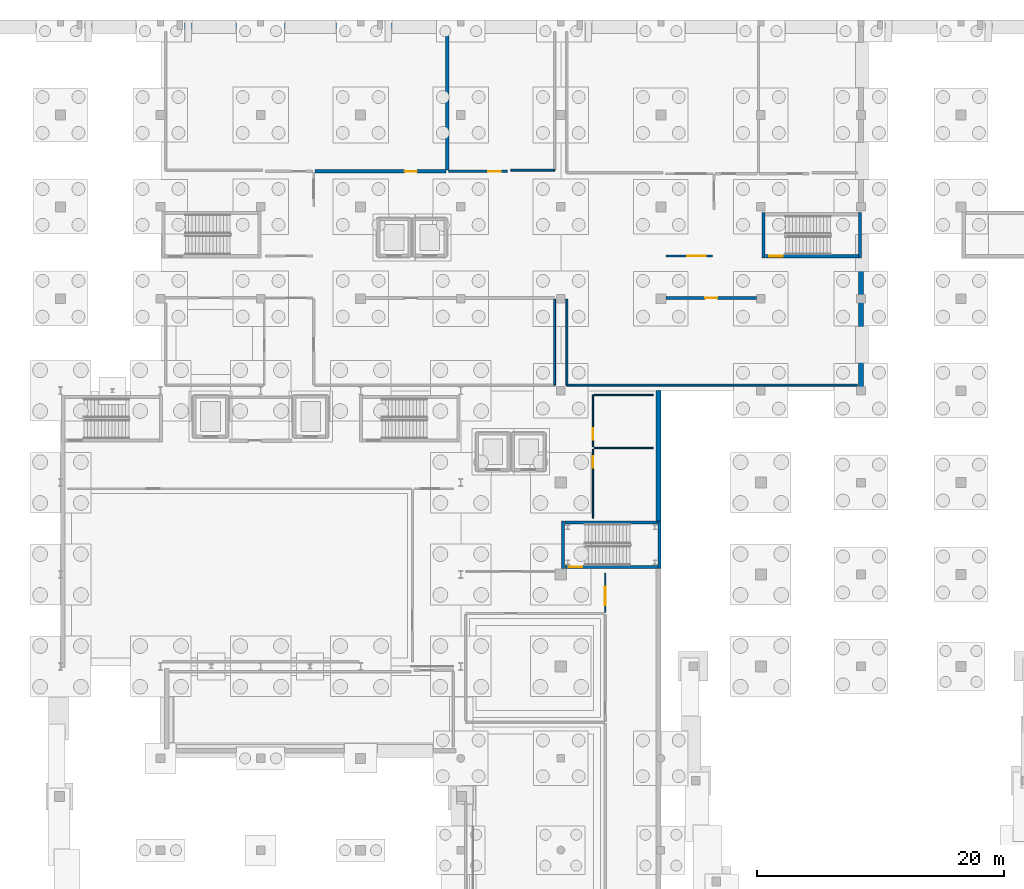
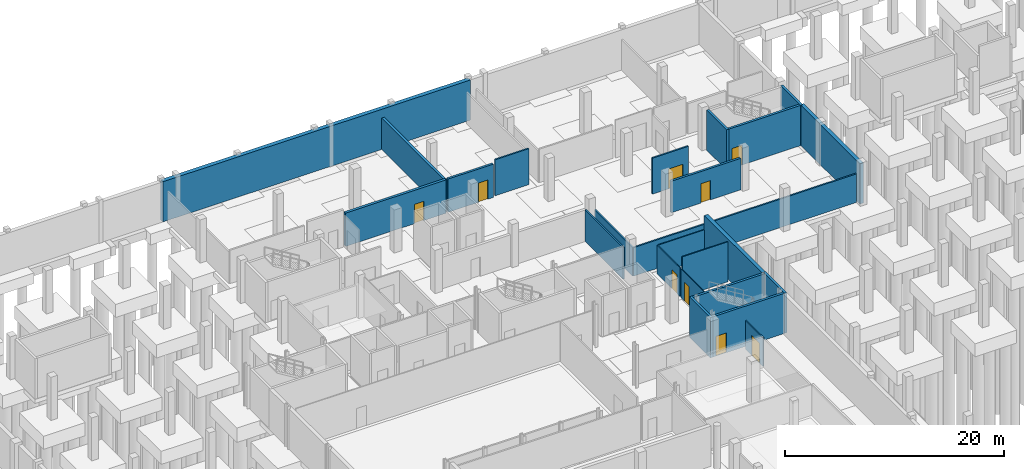
# One storey, part 29 of 37: 24 walls, 9 doors, 9 openings.
"""IFC4 building model written with IfcOpenShell, lengths in metres."""

import ifcopenshell
import ifcopenshell.guid

model = None  # the IFC model being written
_history = None  # IfcOwnerHistory: only IFC2X3 demands one
_inside = {}  # id of a spatial element -> (the spatial element, [elements in it])
_under = {}  # id of a project, library or spatial element -> (it, [spatial elements below it])
_declared = {}  # id of a project -> (the project, [libraries it declares])
_typed = {}  # id of a type object -> (the type object, [elements of that type])
_made_of = {}  # id of a material, layer set ... -> (it, [elements and type objects made of it])


def new_model(schema):
    """Start an empty IFC model of exactly this schema.

    Asked for "IFC4X3", IfcOpenShell would pick the latest addendum, in which some entities
    have other attributes; the version numbers below select the first issue.
    IFC2X3 requires an IfcOwnerHistory on every rooted entity: one is made here for all.
    """
    global model, _history
    if schema == "IFC4X3":
        model = ifcopenshell.file(schema_version=(4, 3, 0, 0))
    else:
        model = ifcopenshell.file(schema=schema)
    _inside.clear()
    _under.clear()
    _declared.clear()
    _typed.clear()
    _made_of.clear()
    _history = None
    if model.schema == "IFC2X3":
        org = make("IfcOrganization", Name="unknown")
        user = make(
            "IfcPersonAndOrganization",
            ThePerson=make("IfcPerson", FamilyName="unknown"),
            TheOrganization=org,
        )
        app = make(
            "IfcApplication",
            ApplicationDeveloper=org,
            Version="unknown",
            ApplicationFullName="unknown",
            ApplicationIdentifier="unknown",
        )
        _history = make(
            "IfcOwnerHistory",
            OwningUser=user,
            OwningApplication=app,
            ChangeAction="ADDED",
            CreationDate=0,
        )
    return model


def make(cls, **values):
    """One entity of the class cls with the attributes given. An attribute that is None is left unset."""
    return model.create_entity(
        cls, **{name: value for name, value in values.items() if value is not None}
    )


def rooted(cls, **values):
    """An entity with a GlobalId (a new one), such as an element, a storey or a relation."""
    return make(cls, GlobalId=ifcopenshell.guid.new(), OwnerHistory=_history, **values)


def si_unit(unit_type, name, prefix=None):
    """IfcSIUnit, for example si_unit("LENGTHUNIT", "METRE", prefix="MILLI")."""
    return make("IfcSIUnit", UnitType=unit_type, Prefix=prefix, Name=name)


def assignment(units):
    """IfcUnitAssignment: the units of a project."""
    return None if units is None else make("IfcUnitAssignment", Units=units)


def point(xyz):
    """IfcCartesianPoint."""
    return None if xyz is None else make("IfcCartesianPoint", Coordinates=xyz)


def direction(xyz):
    """IfcDirection."""
    return None if xyz is None else make("IfcDirection", DirectionRatios=xyz)


def frame(location, z_axis=None, x_axis=None):
    """IfcAxis2Placement3D, a coordinate frame: its origin and axes. An axis left out is left unset."""
    return make(
        "IfcAxis2Placement3D",
        Location=point(location),
        Axis=direction(z_axis),
        RefDirection=direction(x_axis),
    )


def frame_2d(location, x_axis=None):
    """IfcAxis2Placement2D, a coordinate frame in the plane: its origin and x axis."""
    return make(
        "IfcAxis2Placement2D", Location=point(location), RefDirection=direction(x_axis)
    )


def origin():
    """The frame at (0, 0, 0) with its axes left unset."""
    return frame((0.0, 0.0, 0.0))


def place(relative_to, where):
    """IfcLocalPlacement: puts the frame where relative to a parent placement (None: the world)."""
    return make(
        "IfcLocalPlacement", PlacementRelTo=relative_to, RelativePlacement=where
    )


def context(
    kind, dimensions, precision=None, world=None, true_north=None, identifier=None
):
    """IfcGeometricRepresentationContext, for example the 3D "Model" context."""
    return make(
        "IfcGeometricRepresentationContext",
        ContextIdentifier=identifier,
        ContextType=kind,
        CoordinateSpaceDimension=dimensions,
        Precision=precision,
        WorldCoordinateSystem=world,
        TrueNorth=true_north,
    )


def subcontext(parent, identifier, kind, view, scale=None):
    """IfcGeometricRepresentationSubContext, for example "Body" below "Model"."""
    return make(
        "IfcGeometricRepresentationSubContext",
        ContextIdentifier=identifier,
        ContextType=kind,
        ParentContext=parent,
        TargetScale=scale,
        TargetView=view,
    )


def project(units=None, contexts=None):
    """IfcProject with its units and contexts."""
    return rooted(
        "IfcProject",
        Name="project",
        RepresentationContexts=contexts,
        UnitsInContext=assignment(units),
    )


def spatial(cls, under=None, at=None, **own):
    """A site, building, storey or space (cls), placed at a placement, below another one or the project."""
    s = rooted(cls, ObjectPlacement=at, **own)
    if under is not None:
        _under.setdefault(under.id(), (under, []))[1].append(s)
    return s


def profile(cls, at=None, kind="AREA", **sizes):
    """A parametric profile (cls). Its sizes go by their IFC names, for example OverallWidth=200.0."""
    return make(cls, ProfileType=kind, Position=at, **sizes)


def rectangle(**sizes):
    """IfcRectangleProfileDef."""
    return profile("IfcRectangleProfileDef", **sizes)


def extrude(swept, where, along, depth):
    """IfcExtrudedAreaSolid: the profile swept, set in the frame where, extruded along a direction by depth."""
    return make(
        "IfcExtrudedAreaSolid",
        SweptArea=swept,
        Position=where,
        ExtrudedDirection=direction(along),
        Depth=depth,
    )


def shape(context_of_items, identifier, shape_type, items):
    """IfcShapeRepresentation: the items that make up one representation, for example the "Body"."""
    return make(
        "IfcShapeRepresentation",
        ContextOfItems=context_of_items,
        RepresentationIdentifier=identifier,
        RepresentationType=shape_type,
        Items=items,
    )


def material(Name=None, Category=None):
    """IfcMaterial."""
    return make("IfcMaterial", Name=Name, Category=Category)


def layer(
    of_material, thickness, ventilated=None, Name=None, Category=None, Priority=None
):
    """IfcMaterialLayer: one layer of a wall or slab, of a material (None: an air gap)."""
    return make(
        "IfcMaterialLayer",
        Material=of_material,
        LayerThickness=thickness,
        IsVentilated=ventilated,
        Name=Name,
        Category=Category,
        Priority=Priority,
    )


def layer_set(layers, Name=None):
    """IfcMaterialLayerSet."""
    return make("IfcMaterialLayerSet", MaterialLayers=layers, LayerSetName=Name)


def made_of(thing, what):
    """Note that an element or type object is made of a material, layer set ...; save() writes the relation."""
    if what is not None:
        _made_of.setdefault(what.id(), (what, []))[1].append(thing)
    return thing


def type_object(cls, material=None, **own):
    """A type object (cls), such as IfcWallType, which elements share."""
    return made_of(rooted(cls, **own), material)


def element(
    cls,
    number,
    at=None,
    inside=None,
    cuts=None,
    type_object=None,
    material=None,
    context=None,
    identifier="Body",
    shape_type=None,
    held_by="IfcProductDefinitionShape",
    body=None,
    shapes=None,
    **own,
):
    """One element of the class cls, such as IfcWall. Its Tag is "e" and its number.

    at: its placement. inside: the storey or other place that contains it. cuts: it is an
    opening in that element (IfcRelVoidsElement). A single representation is given by context,
    identifier, shape_type and body (its items); several are given by shapes. held_by: the class
    of the entity that holds the representations. save() writes the other relations.
    """
    e = rooted(cls, Tag="e%d" % number, ObjectPlacement=at, **own)
    if body is not None:
        shapes = [shape(context, identifier, shape_type, body)]
    if shapes is not None:
        e.Representation = make(held_by, Representations=shapes)
    if inside is not None:
        _inside.setdefault(inside.id(), (inside, []))[1].append(e)
    if cuts is not None:
        rooted(
            "IfcRelVoidsElement", RelatingBuildingElement=cuts, RelatedOpeningElement=e
        )
    if type_object is not None:
        _typed.setdefault(type_object.id(), (type_object, []))[1].append(e)
    return made_of(e, material)


def fill(opening, filler):
    """IfcRelFillsElement: the door or window that sits in an opening."""
    return rooted(
        "IfcRelFillsElement",
        RelatingOpeningElement=opening,
        RelatedBuildingElement=filler,
    )


def aggregate(whole, parts):
    """IfcRelAggregates: a whole, such as a stair, and the parts it consists of."""
    return rooted("IfcRelAggregates", RelatingObject=whole, RelatedObjects=parts)


def save(model, path):
    """Write the relations noted so far, then the file.

    IfcRelAggregates (storeys below a building ...), IfcRelContainedInSpatialStructure (elements
    in a storey), IfcRelDefinesByType, IfcRelAssociatesMaterial and IfcRelDeclares: one each for
    every whole, place, type object, material and project.
    """
    for whole, parts in _under.values():
        aggregate(whole, parts)
    for where, things in _inside.values():
        rooted(
            "IfcRelContainedInSpatialStructure",
            RelatedElements=things,
            RelatingStructure=where,
        )
    for kind, things in _typed.values():
        rooted("IfcRelDefinesByType", RelatedObjects=things, RelatingType=kind)
    for what, things in _made_of.values():
        rooted("IfcRelAssociatesMaterial", RelatedObjects=things, RelatingMaterial=what)
    for by, libraries in _declared.values():
        rooted("IfcRelDeclares", RelatingContext=by, RelatedDefinitions=libraries)
    model.write(path)


model = new_model("IFC4")

# Units and contexts
model_context = context("Model", 3, precision=1e-05, world=origin(), true_north=direction((0.0, 1.0)))
body_context = subcontext(model_context, "Body", "Model", "MODEL_VIEW")
ifc_project = project(units=[si_unit("LENGTHUNIT", "METRE"), si_unit("AREAUNIT", "SQUARE_METRE"), si_unit("VOLUMEUNIT", "CUBIC_METRE"), si_unit("PLANEANGLEUNIT", "RADIAN"), si_unit("MASSUNIT", "GRAM", prefix="KILO")], contexts=[model_context])

# Site, building, storey
site_placement = place(None, origin())
site = spatial("IfcSite", under=ifc_project, at=site_placement, CompositionType="ELEMENT")
building_placement = place(site_placement, origin())
building = spatial("IfcBuilding", under=site, at=building_placement, Name="Kaelora Sail Theatre", CompositionType="ELEMENT")
storey_placement = place(building_placement, frame((0.0, 0.0, -4.800048828125)))
storey = spatial("IfcBuildingStorey", under=building, at=storey_placement, Name="B1", CompositionType="ELEMENT", Elevation=-4.800048828125)

# Wall, opening, door
ifc_material_1 = material(Name="Concrete C40/50", Category="concrete")
ifc_layer_1 = layer(ifc_material_1, 0.25)
ifc_layer_set_1 = layer_set([ifc_layer_1], Name="Concrete C40/50")
wall_type_1 = type_object("IfcWallType", Name="ARC-WL-CW-250", PredefinedType="SHEAR", material=ifc_layer_set_1)
wall_1_placement = place(storey_placement, frame((82.85498046875, 94.22509765625, 0.0), z_axis=(0.0, 0.0, 1.0), x_axis=(1.0, 0.0, 0.0)))
wall_1 = element("IfcWall", 1, at=wall_1_placement, inside=storey, type_object=wall_type_1, Name="Stair shaft ST-K3 wall B1-S", PredefinedType="SHEAR", context=body_context, shape_type="SweptSolid", body=[
    extrude(rectangle(XDim=7.5400390625, YDim=0.25, at=frame_2d((3.77001953125, 0.0))), origin(), (0.0, 0.0, 1.0), 4.47998046875),
])
opening_1_placement = place(wall_1_placement, frame((0.320068359375, 0.0, 0.0)))
opening_1 = element("IfcOpeningElement", 2, at=opening_1_placement, cuts=wall_1, Name="Opening FD-02", PredefinedType="OPENING", context=body_context, shape_type="SweptSolid", body=[
    extrude(rectangle(XDim=1.10009765625, YDim=2.199951171875, at=frame_2d((0.550048828125, 1.10009765625))), frame((0.0, 0.135, 0.0), z_axis=(0.0, -1.0, 0.0), x_axis=(1.0, 0.0, 0.0)), (0.0, 0.0, 1.0), 0.27),
])
ifc_material_2 = material(Name="Acoustic steel single stair/lobby fire door EI 90-C", Category="steel")
door_type_1 = type_object("IfcDoorType", Name="ARC-DR-FD-02", OperationType="NOTDEFINED", PredefinedType="DOOR", material=ifc_material_2)
door_1_placement = place(opening_1_placement, origin())
door_1 = element("IfcDoor", 3, at=door_1_placement, inside=storey, type_object=door_type_1, Name="Stair ST-K3 door (B1)", OperationType="SINGLE_SWING_RIGHT", OverallHeight=2.199951171875, OverallWidth=1.10009765625, PredefinedType="DOOR", context=body_context, shape_type="SweptSolid", body=[
    extrude(rectangle(XDim=1.10009765625, YDim=2.199951171875, at=frame_2d((0.550048828125, 1.10009765625))), frame((0.0, 0.02490234375, 0.0), z_axis=(0.0, -1.0, 0.0), x_axis=(1.0, 0.0, 0.0)), (0.0, 0.0, 1.0), 0.050048828125),
])
fill(opening_1, door_1)

# Walls
for number, where, z_axis, x_axis, name in (
    (4, (82.72509765625, 94.10009765625, 0.0), (0.0, 0.0, 1.0), (0.0, 1.0, 0.0), "Stair shaft ST-K3 wall B1-W"),
    (5, (90.52490234375, 94.10009765625, 0.0), (0.0, 0.0, 1.0), (0.0, 1.0, 0.0), "Stair shaft ST-K3 wall B1-E"),
):
    element("IfcWall", number, at=place(storey_placement, frame(where, z_axis=z_axis, x_axis=x_axis)), inside=storey, type_object=wall_type_1, Name=name, PredefinedType="SHEAR", context=body_context, shape_type="SweptSolid", body=[
        extrude(rectangle(XDim=3.64990234375, YDim=0.25, at=frame_2d((1.824951171875, 0.0))), origin(), (0.0, 0.0, 1.0), 4.47998046875),
    ])

# Wall, opening, door
wall_2_placement = place(storey_placement, frame((66.625, 69.074951171875, 0.0), z_axis=(0.0, 0.0, 1.0), x_axis=(1.0, 0.0, 0.0)))
wall_2 = element("IfcWall", 6, at=wall_2_placement, inside=storey, type_object=wall_type_1, Name="Stair shaft ST-F1 wall B1-S", PredefinedType="SHEAR", context=body_context, shape_type="SweptSolid", body=[
    extrude(rectangle(XDim=7.5400390625, YDim=0.25, at=frame_2d((3.77001953125, 0.0))), origin(), (0.0, 0.0, 1.0), 4.47998046875),
])
opening_2_placement = place(wall_2_placement, frame((0.320068359375, 0.0, 0.0)))
opening_2 = element("IfcOpeningElement", 7, at=opening_2_placement, cuts=wall_2, Name="Opening FD-02", PredefinedType="OPENING", context=body_context, shape_type="SweptSolid", body=[
    extrude(rectangle(XDim=1.10009765625, YDim=2.199951171875, at=frame_2d((0.550048828125, 1.10009765625))), frame((0.0, 0.135, 0.0), z_axis=(0.0, -1.0, 0.0), x_axis=(1.0, 0.0, 0.0)), (0.0, 0.0, 1.0), 0.27),
])
door_2_placement = place(opening_2_placement, origin())
door_2 = element("IfcDoor", 8, at=door_2_placement, inside=storey, type_object=door_type_1, Name="Stair ST-F1 door (B1)", OperationType="SINGLE_SWING_LEFT", OverallHeight=2.199951171875, OverallWidth=1.10009765625, PredefinedType="DOOR", context=body_context, shape_type="SweptSolid", body=[
    extrude(rectangle(XDim=1.10009765625, YDim=2.199951171875, at=frame_2d((0.550048828125, 1.10009765625))), frame((0.0, 0.02490234375, 0.0), z_axis=(0.0, -1.0, 0.0), x_axis=(1.0, 0.0, 0.0)), (0.0, 0.0, 1.0), 0.050048828125),
])
fill(opening_2, door_2)

# Walls
wall_3_placement = place(storey_placement, frame((66.625, 72.675048828125, 0.0), z_axis=(0.0, 0.0, 1.0), x_axis=(1.0, 0.0, 0.0)))
element("IfcWall", 9, at=wall_3_placement, inside=storey, type_object=wall_type_1, Name="Stair shaft ST-F1 wall B1-N", PredefinedType="SHEAR", context=body_context, shape_type="SweptSolid", body=[
    extrude(rectangle(XDim=7.5400390625, YDim=0.25, at=frame_2d((3.77001953125, 0.0))), origin(), (0.0, 0.0, 1.0), 4.47998046875),
])
for number, where, z_axis, x_axis, name in (
    (10, (66.4951171875, 68.949951171875, 0.0), (0.0, 0.0, 1.0), (0.0, 1.0, 0.0), "Stair shaft ST-F1 wall B1-W"),
    (11, (74.294921875, 68.949951171875, 0.0), (0.0, 0.0, 1.0), (0.0, 1.0, 0.0), "Stair shaft ST-F1 wall B1-E"),
):
    element("IfcWall", number, at=place(storey_placement, frame(where, z_axis=z_axis, x_axis=x_axis)), inside=storey, type_object=wall_type_1, Name=name, PredefinedType="SHEAR", context=body_context, shape_type="SweptSolid", body=[
        extrude(rectangle(XDim=3.85009765625, YDim=0.25, at=frame_2d((1.925048828125, 0.0))), origin(), (0.0, 0.0, 1.0), 4.47998046875),
    ])

# Wall, opening, door
ifc_material_3 = material(Name="Sanitary moisture-resistant partition 100 mm", Category="gypsum")
ifc_layer_2 = layer(ifc_material_3, 0.10009765625)
ifc_layer_set_2 = layer_set([ifc_layer_2], Name="Sanitary moisture-resistant partition 100 mm")
wall_type_2 = type_object("IfcWallType", Name="ARC-WL-PT-100", PredefinedType="PARTITIONING", material=ifc_layer_set_2)
wall_4_placement = place(storey_placement, frame((68.89990234375, 73.0, 0.0), z_axis=(0.0, 0.0, 1.0), x_axis=(0.0, 1.0, 0.0)))
wall_4 = element("IfcWall", 12, at=wall_4_placement, inside=storey, type_object=wall_type_2, Name="Interior acoustic partition B1-COR-NLINK/B1-WC-PUB", PredefinedType="PARTITIONING", context=body_context, shape_type="SweptSolid", body=[
    extrude(rectangle(XDim=5.60009765625, YDim=0.10009765625, at=frame_2d((2.800048828125, 0.0))), origin(), (0.0, 0.0, 1.0), 3.18212890625),
])
opening_3_placement = place(wall_4_placement, frame((4.1201171875, 0.0, 0.0)))
opening_3 = element("IfcOpeningElement", 13, at=opening_3_placement, cuts=wall_4, Name="Opening ID-03", PredefinedType="OPENING", context=body_context, shape_type="SweptSolid", body=[
    extrude(rectangle(XDim=0.89990234375, YDim=2.10009765625, at=frame_2d((0.449951171875, 1.050048828125))), frame((0.0, 0.060049, 0.0), z_axis=(0.0, -1.0, 0.0), x_axis=(1.0, 0.0, 0.0)), (0.0, 0.0, 1.0), 0.120098),
])
ifc_material_4 = material(Name="Accessible sanitary laminate door", Category="timber")
door_type_2 = type_object("IfcDoorType", Name="ARC-DR-ID-03", OperationType="NOTDEFINED", PredefinedType="DOOR", material=ifc_material_4)
door_3_placement = place(opening_3_placement, origin())
door_3 = element("IfcDoor", 14, at=door_3_placement, inside=storey, type_object=door_type_2, Name="Interior door B1-COR-NLINK to B1-WC-PUB", OperationType="SINGLE_SWING_RIGHT", OverallHeight=2.10009765625, OverallWidth=0.89990234375, PredefinedType="DOOR", context=body_context, shape_type="SweptSolid", body=[
    extrude(rectangle(XDim=0.89990234375, YDim=2.10009765625, at=frame_2d((0.449951171875, 1.050048828125))), frame((0.0, 0.02490234375, 0.0), z_axis=(0.0, -1.0, 0.0), x_axis=(1.0, 0.0, 0.0)), (0.0, 0.0, 1.0), 0.050048828125),
])
fill(opening_3, door_3)

wall_5_placement = place(storey_placement, frame((68.89990234375, 78.800048828125, 0.0), z_axis=(0.0, 0.0, 1.0), x_axis=(0.0, 1.0, 0.0)))
wall_5 = element("IfcWall", 15, at=wall_5_placement, inside=storey, type_object=wall_type_2, Name="Interior acoustic partition B1-COR-NLINK/B1-WC-ACC", PredefinedType="PARTITIONING", context=body_context, shape_type="SweptSolid", body=[
    extrude(rectangle(XDim=4.199951171875, YDim=0.10009765625, at=frame_2d((2.10009765625, 0.0))), origin(), (0.0, 0.0, 1.0), 3.18212890625),
])
opening_4_placement = place(wall_5_placement, frame((0.580078125, 0.0, 0.0)))
opening_4 = element("IfcOpeningElement", 16, at=opening_4_placement, cuts=wall_5, Name="Opening ID-03", PredefinedType="OPENING", context=body_context, shape_type="SweptSolid", body=[
    extrude(rectangle(XDim=0.89990234375, YDim=2.10009765625, at=frame_2d((0.449951171875, 1.050048828125))), frame((0.0, 0.060049, 0.0), z_axis=(0.0, -1.0, 0.0), x_axis=(1.0, 0.0, 0.0)), (0.0, 0.0, 1.0), 0.120098),
])
door_4_placement = place(opening_4_placement, origin())
door_4 = element("IfcDoor", 17, at=door_4_placement, inside=storey, type_object=door_type_2, Name="Interior door B1-COR-NLINK to B1-WC-ACC", OperationType="SINGLE_SWING_RIGHT", OverallHeight=2.10009765625, OverallWidth=0.89990234375, PredefinedType="DOOR", context=body_context, shape_type="SweptSolid", body=[
    extrude(rectangle(XDim=0.89990234375, YDim=2.10009765625, at=frame_2d((0.449951171875, 1.050048828125))), frame((0.0, 0.02490234375, 0.0), z_axis=(0.0, -1.0, 0.0), x_axis=(1.0, 0.0, 0.0)), (0.0, 0.0, 1.0), 0.050048828125),
])
fill(opening_4, door_4)

# Walls
wall_6_placement = place(storey_placement, frame((69.0, 78.699951171875, 0.0), z_axis=(0.0, 0.0, 1.0), x_axis=(1.0, 0.0, 0.0)))
element("IfcWall", 18, at=wall_6_placement, inside=storey, type_object=wall_type_2, Name="Interior acoustic partition B1-WC-PUB/B1-WC-ACC", PredefinedType="PARTITIONING", context=body_context, shape_type="SweptSolid", body=[
    extrude(rectangle(XDim=4.800048828125, YDim=0.10009765625, at=frame_2d((2.39990234375, 0.0))), origin(), (0.0, 0.0, 1.0), 4.4599609375),
])
wall_7_placement = place(storey_placement, frame((69.0, 83.0, 0.0), z_axis=(0.0, 0.0, 1.0), x_axis=(1.0, 0.0, 0.0)))
element("IfcWall", 19, at=wall_7_placement, inside=storey, type_object=wall_type_2, Name="Room enclosure wall B1-WC-ACC-N1", PredefinedType="PARTITIONING", context=body_context, shape_type="SweptSolid", body=[
    extrude(rectangle(XDim=4.800048828125, YDim=0.10009765625, at=frame_2d((2.39990234375, 0.0))), origin(), (0.0, 0.0, 1.0), 3.18212890625),
])

# Wall, opening, door
ifc_material_5 = material(Name="Standard metal-stud partition 120 mm", Category="gypsum")
ifc_layer_3 = layer(ifc_material_5, 0.1201171875)
ifc_layer_set_3 = layer_set([ifc_layer_3], Name="Standard metal-stud partition 120 mm")
wall_type_3 = type_object("IfcWallType", Name="ARC-WL-PT-120", PredefinedType="PARTITIONING", material=ifc_layer_set_3)
wall_8_placement = place(storey_placement, frame((69.89990234375, 65.39990234375, 0.0), z_axis=(0.0, 0.0, 1.0), x_axis=(0.0, 1.0, 0.0)))
wall_8 = element("IfcWall", 20, at=wall_8_placement, inside=storey, type_object=wall_type_3, Name="Interior acoustic partition B1-COR-SOUTH/B1-COR-MAIN", PredefinedType="PARTITIONING", context=body_context, shape_type="SweptSolid", body=[
    extrude(rectangle(XDim=3.2001953125, YDim=0.1201171875, at=frame_2d((1.60009765625, 0.0))), origin(), (0.0, 0.0, 1.0), 3.18212890625),
])
opening_5_placement = place(wall_8_placement, frame((0.580078125, 0.0, 0.0)))
opening_5 = element("IfcOpeningElement", 21, at=opening_5_placement, cuts=wall_8, Name="Opening FD-01", PredefinedType="OPENING", context=body_context, shape_type="SweptSolid", body=[
    extrude(rectangle(XDim=1.5, YDim=2.199951171875, at=frame_2d((0.75, 1.10009765625))), frame((0.0, 0.070059, 0.0), z_axis=(0.0, -1.0, 0.0), x_axis=(1.0, 0.0, 0.0)), (0.0, 0.0, 1.0), 0.140117),
])
ifc_material_6 = material(Name="Acoustic steel double fire door EI 90-C", Category="steel")
door_type_3 = type_object("IfcDoorType", Name="ARC-DR-FD-01", OperationType="NOTDEFINED", PredefinedType="DOOR", material=ifc_material_6)
door_5_placement = place(opening_5_placement, origin())
door_5 = element("IfcDoor", 22, at=door_5_placement, inside=storey, type_object=door_type_3, Name="Interior door B1-COR-SOUTH to B1-COR-MAIN", OperationType="DOUBLE_DOOR_SINGLE_SWING", OverallHeight=2.199951171875, OverallWidth=1.5, PredefinedType="DOOR", context=body_context, shape_type="SweptSolid", body=[
    extrude(rectangle(XDim=1.5, YDim=2.199951171875, at=frame_2d((0.75, 1.10009765625))), frame((0.0, 0.02490234375, 0.0), z_axis=(0.0, -1.0, 0.0), x_axis=(1.0, 0.0, 0.0)), (0.0, 0.0, 1.0), 0.050048828125),
])
fill(opening_5, door_5)

ifc_material_7 = material(Name="Acoustic metal-stud plasterboard 160 mm", Category="gypsum")
ifc_layer_4 = layer(ifc_material_7, 0.159912109375)
ifc_layer_set_4 = layer_set([ifc_layer_4], Name="Acoustic metal-stud plasterboard 160 mm")
wall_type_4 = type_object("IfcWallType", Name="ARC-WL-PT-160", PredefinedType="PARTITIONING", material=ifc_layer_set_4)
wall_9_placement = place(storey_placement, frame((74.800048828125, 94.25, 0.0), z_axis=(0.0, 0.0, 1.0), x_axis=(1.0, 0.0, 0.0)))
wall_9 = element("IfcWall", 23, at=wall_9_placement, inside=storey, type_object=wall_type_4, Name="Interior acoustic partition B1-COR-NORTH/B1-COR-SPUR2", PredefinedType="PARTITIONING", context=body_context, shape_type="SweptSolid", body=[
    extrude(rectangle(XDim=3.800048828125, YDim=0.159912109375, at=frame_2d((1.89990234375, 0.0))), origin(), (0.0, 0.0, 1.0), 4.011962890625),
])
opening_6_placement = place(wall_9_placement, frame((1.719970703125, 0.0, 0.0)))
opening_6 = element("IfcOpeningElement", 24, at=opening_6_placement, cuts=wall_9, Name="Opening FD-01", PredefinedType="OPENING", context=body_context, shape_type="SweptSolid", body=[
    extrude(rectangle(XDim=1.5, YDim=2.199951171875, at=frame_2d((0.75, 1.10009765625))), frame((0.0, 0.090078, 0.0), z_axis=(0.0, -1.0, 0.0), x_axis=(1.0, 0.0, 0.0)), (0.0, 0.0, 1.0), 0.179912),
])
door_6_placement = place(opening_6_placement, origin())
door_6 = element("IfcDoor", 25, at=door_6_placement, inside=storey, type_object=door_type_3, Name="Interior door B1-COR-NORTH to B1-COR-SPUR2", OperationType="DOUBLE_DOOR_SINGLE_SWING", OverallHeight=2.199951171875, OverallWidth=1.5, PredefinedType="DOOR", context=body_context, shape_type="SweptSolid", body=[
    extrude(rectangle(XDim=1.5, YDim=2.199951171875, at=frame_2d((0.75, 1.10009765625))), frame((0.0, 0.02490234375, 0.0), z_axis=(0.0, -1.0, 0.0), x_axis=(1.0, 0.0, 0.0)), (0.0, 0.0, 1.0), 0.050048828125),
])
fill(opening_6, door_6)

# Walls
wall_10_placement = place(storey_placement, frame((65.800048828125, 83.800048828125, 0.0), z_axis=(0.0, 0.0, 1.0), x_axis=(0.0, 1.0, 0.0)))
element("IfcWall", 26, at=wall_10_placement, inside=storey, type_object=wall_type_4, Name="Room enclosure wall B1-SUBS-E1", PredefinedType="PARTITIONING", context=body_context, shape_type="SweptSolid", body=[
    extrude(rectangle(XDim=6.949951171875, YDim=0.159912109375, at=frame_2d((3.47509765625, 0.0))), origin(), (0.0, 0.0, 1.0), 3.511962890625),
])
wall_11_placement = place(storey_placement, frame((66.800048828125, 83.800048828125, 0.0), z_axis=(0.0, 0.0, 1.0), x_axis=(1.0, 0.0, 0.0)))
element("IfcWall", 27, at=wall_11_placement, inside=storey, type_object=wall_type_4, Name="Room enclosure wall B1-BATT-S1", PredefinedType="PARTITIONING", context=body_context, shape_type="SweptSolid", body=[
    extrude(rectangle(XDim=23.5, YDim=0.159912109375, at=frame_2d((11.75, 0.0))), origin(), (0.0, 0.0, 1.0), 3.18212890625),
])
wall_12_placement = place(storey_placement, frame((66.800048828125, 83.800048828125, 0.0), z_axis=(0.0, 0.0, 1.0), x_axis=(0.0, 1.0, 0.0)))
element("IfcWall", 28, at=wall_12_placement, inside=storey, type_object=wall_type_4, Name="Room enclosure wall B1-BATT-W1", PredefinedType="PARTITIONING", context=body_context, shape_type="SweptSolid", body=[
    extrude(rectangle(XDim=6.949951171875, YDim=0.159912109375, at=frame_2d((3.47509765625, 0.0))), origin(), (0.0, 0.0, 1.0), 3.18212890625),
])
wall_13_placement = place(storey_placement, frame((62.25, 101.199951171875, 0.0), z_axis=(0.0, 0.0, 1.0), x_axis=(1.0, 0.0, 0.0)))
element("IfcWall", 29, at=wall_13_placement, inside=storey, type_object=wall_type_4, Name="Room enclosure wall B1-PUMP-S1", PredefinedType="PARTITIONING", context=body_context, shape_type="SweptSolid", body=[
    extrude(rectangle(XDim=3.550048828125, YDim=0.159912109375, at=frame_2d((1.77490234375, 0.0))), origin(), (0.0, 0.0, 1.0), 4.011962890625),
])

# Wall, opening, door
ifc_material_8 = material(Name="Concrete C40/50", Category="concrete")
ifc_layer_5 = layer(ifc_material_8, 0.22998046875)
ifc_layer_set_5 = layer_set([ifc_layer_5], Name="Concrete C40/50")
wall_type_5 = type_object("IfcWallType", Name="ARC-WL-PW-230", PredefinedType="SOLIDWALL", material=ifc_layer_set_5)
wall_14_placement = place(storey_placement, frame((74.804931640625, 90.85009765625, 0.0), z_axis=(0.0, 0.0, 1.0), x_axis=(1.0, 0.0, 0.0)))
wall_14 = element("IfcWall", 30, at=wall_14_placement, inside=storey, type_object=wall_type_5, Name="Interior acoustic partition B1-COR-NORTH/B1-BATT", PredefinedType="SOLIDWALL", context=body_context, shape_type="SweptSolid", body=[
    extrude(rectangle(XDim=7.340087890625, YDim=0.22998046875, at=frame_2d((3.669921875, 0.0))), origin(), (0.0, 0.0, 1.0), 3.511962890625),
])
opening_7_placement = place(wall_14_placement, frame((3.169921875, 0.0, 0.0)))
opening_7 = element("IfcOpeningElement", 31, at=opening_7_placement, cuts=wall_14, Name="Opening FD-04", PredefinedType="OPENING", context=body_context, shape_type="SweptSolid", body=[
    extrude(rectangle(XDim=1.0, YDim=2.14990234375, at=frame_2d((0.5, 1.074951171875))), frame((0.0, 0.12499, 0.0), z_axis=(0.0, -1.0, 0.0), x_axis=(1.0, 0.0, 0.0)), (0.0, 0.0, 1.0), 0.24998),
])
ifc_material_9 = material(Name="Fire-rated riser and plant steel door FD60S", Category="steel")
door_type_4 = type_object("IfcDoorType", Name="ARC-DR-FD-04", OperationType="NOTDEFINED", PredefinedType="DOOR", material=ifc_material_9)
door_7_placement = place(opening_7_placement, origin())
door_7 = element("IfcDoor", 32, at=door_7_placement, inside=storey, type_object=door_type_4, Name="Interior door B1-COR-NORTH to B1-BATT", OperationType="SINGLE_SWING_LEFT", OverallHeight=2.14990234375, OverallWidth=1.0, PredefinedType="DOOR", context=body_context, shape_type="SweptSolid", body=[
    extrude(rectangle(XDim=1.0, YDim=2.14990234375, at=frame_2d((0.5, 1.074951171875))), frame((0.0, 0.02490234375, 0.0), z_axis=(0.0, -1.0, 0.0), x_axis=(1.0, 0.0, 0.0)), (0.0, 0.0, 1.0), 0.050048828125),
])
fill(opening_7, door_7)

wall_15_placement = place(storey_placement, frame((57.199951171875, 101.10009765625, 0.0), z_axis=(0.0, 0.0, 1.0), x_axis=(1.0, 0.0, 0.0)))
wall_15 = element("IfcWall", 33, at=wall_15_placement, inside=storey, type_object=wall_type_5, Name="Interior acoustic partition B1-COR-SPUR1E/B1-PUMP", PredefinedType="SOLIDWALL", context=body_context, shape_type="SweptSolid", body=[
    extrude(rectangle(XDim=4.800048828125, YDim=0.22998046875, at=frame_2d((2.39990234375, 0.0))), origin(), (0.0, 0.0, 1.0), 3.712158203125),
])
opening_8_placement = place(wall_15_placement, frame((3.219970703125, 0.0, 0.0)))
opening_8 = element("IfcOpeningElement", 34, at=opening_8_placement, cuts=wall_15, Name="Opening FD-04", PredefinedType="OPENING", context=body_context, shape_type="SweptSolid", body=[
    extrude(rectangle(XDim=1.0, YDim=2.14990234375, at=frame_2d((0.5, 1.074951171875))), frame((0.0, 0.12499, 0.0), z_axis=(0.0, -1.0, 0.0), x_axis=(1.0, 0.0, 0.0)), (0.0, 0.0, 1.0), 0.24998),
])
door_8_placement = place(opening_8_placement, origin())
door_8 = element("IfcDoor", 35, at=door_8_placement, inside=storey, type_object=door_type_4, Name="Interior door B1-COR-SPUR1E to B1-PUMP", OperationType="SINGLE_SWING_RIGHT", OverallHeight=2.14990234375, OverallWidth=1.0, PredefinedType="DOOR", context=body_context, shape_type="SweptSolid", body=[
    extrude(rectangle(XDim=1.0, YDim=2.14990234375, at=frame_2d((0.5, 1.074951171875))), frame((0.0, 0.02490234375, 0.0), z_axis=(0.0, -1.0, 0.0), x_axis=(1.0, 0.0, 0.0)), (0.0, 0.0, 1.0), 0.050048828125),
])
fill(opening_8, door_8)

ifc_material_10 = material(Name="Concrete C45/55", Category="concrete")
ifc_layer_6 = layer(ifc_material_10, 0.27001953125)
ifc_layer_set_6 = layer_set([ifc_layer_6], Name="Concrete C45/55")
wall_type_6 = type_object("IfcWallType", Name="ARC-WL-PW-270", PredefinedType="SOLIDWALL", material=ifc_layer_set_6)
wall_16_placement = place(storey_placement, frame((46.39990234375, 101.10009765625, 0.0), z_axis=(0.0, 0.0, 1.0), x_axis=(1.0, 0.0, 0.0)))
wall_16 = element("IfcWall", 36, at=wall_16_placement, inside=storey, type_object=wall_type_6, Name="Interior acoustic partition B1-COR-SPUR1E/B1-CHIL", PredefinedType="SOLIDWALL", context=body_context, shape_type="SweptSolid", body=[
    extrude(rectangle(XDim=10.60009765625, YDim=0.27001953125, at=frame_2d((5.300048828125, 0.0))), origin(), (0.0, 0.0, 1.0), 3.712158203125),
])
opening_9_placement = place(wall_16_placement, frame((7.2529296875, 0.0, 0.0)))
opening_9 = element("IfcOpeningElement", 37, at=opening_9_placement, cuts=wall_16, Name="Opening FD-04", PredefinedType="OPENING", context=body_context, shape_type="SweptSolid", body=[
    extrude(rectangle(XDim=1.0, YDim=2.14990234375, at=frame_2d((0.5, 1.074951171875))), frame((0.0, 0.14501, 0.0), z_axis=(0.0, -1.0, 0.0), x_axis=(1.0, 0.0, 0.0)), (0.0, 0.0, 1.0), 0.29002),
])
door_9_placement = place(opening_9_placement, origin())
door_9 = element("IfcDoor", 38, at=door_9_placement, inside=storey, type_object=door_type_4, Name="Interior door B1-COR-SPUR1E to B1-CHIL", OperationType="SINGLE_SWING_LEFT", OverallHeight=2.14990234375, OverallWidth=1.0, PredefinedType="DOOR", context=body_context, shape_type="SweptSolid", body=[
    extrude(rectangle(XDim=1.0, YDim=2.14990234375, at=frame_2d((0.5, 1.074951171875))), frame((0.0, 0.02490234375, 0.0), z_axis=(0.0, -1.0, 0.0), x_axis=(1.0, 0.0, 0.0)), (0.0, 0.0, 1.0), 0.050048828125),
])
fill(opening_9, door_9)

# Walls
wall_17_placement = place(storey_placement, frame((57.10009765625, 101.199951171875, 0.0), z_axis=(0.0, 0.0, 1.0), x_axis=(0.0, 1.0, 0.0)))
element("IfcWall", 39, at=wall_17_placement, inside=storey, type_object=wall_type_6, Name="Interior acoustic partition B1-CHIL/B1-PUMP", PredefinedType="SOLIDWALL", context=body_context, shape_type="SweptSolid", body=[
    extrude(rectangle(XDim=11.610107421875, YDim=0.27001953125, at=frame_2d((5.80517578125, 0.0))), origin(), (0.0, 0.0, 1.0), 3.511962890625),
])
ifc_material_11 = material(Name="Concrete C40/50", Category="concrete")
ifc_layer_7 = layer(ifc_material_11, 0.3798828125)
ifc_layer_set_7 = layer_set([ifc_layer_7], Name="Concrete C40/50")
wall_type_7 = type_object("IfcWallType", Name="ARC-WL-RW-380", PredefinedType="USERDEFINED", material=ifc_layer_set_7)
wall_18_placement = place(storey_placement, frame((74.2099609375, 72.72998046875, 0.0), z_axis=(0.0, 0.0, 1.0), x_axis=(0.0, 1.0, 0.0)))
element("IfcWall", 40, at=wall_18_placement, inside=storey, type_object=wall_type_7, Name="Grounded concrete plinth retaining wall B1-RW-FC1-E2", ObjectType="RETAINING WALL", PredefinedType="USERDEFINED", context=body_context, shape_type="SweptSolid", body=[
    extrude(rectangle(XDim=10.610107421875, YDim=0.3798828125, at=frame_2d((5.30517578125, 0.0))), origin(), (0.0, 0.0, 1.0), 4.47998046875),
])
wall_19_placement = place(storey_placement, frame((90.610107421875, 83.340087890625, 0.0), z_axis=(0.0, 0.0, 1.0), x_axis=(0.0, 1.0, 0.0)))
element("IfcWall", 41, at=wall_19_placement, inside=storey, type_object=wall_type_7, Name="Grounded concrete plinth retaining wall B1-RW-NW3-E1", ObjectType="RETAINING WALL", PredefinedType="USERDEFINED", context=body_context, shape_type="SweptSolid", body=[
    extrude(rectangle(XDim=10.8798828125, YDim=0.3798828125, at=frame_2d((5.43994140625, 0.0))), origin(), (0.0, 0.0, 1.0), 4.47998046875),
])
ifc_material_12 = material(Name="Concrete C45/55", Category="concrete")
ifc_layer_8 = layer(ifc_material_12, 0.419921875)
ifc_layer_set_8 = layer_set([ifc_layer_8], Name="Concrete C45/55")
wall_type_8 = type_object("IfcWallType", Name="ARC-WL-RW-420", PredefinedType="USERDEFINED", material=ifc_layer_set_8)
wall_20_placement = place(storey_placement, frame((33.89990234375, 112.889892578125, 0.0), z_axis=(0.0, 0.0, 1.0), x_axis=(1.0, 0.0, 0.0)))
element("IfcWall", 42, at=wall_20_placement, inside=storey, type_object=wall_type_8, Name="Grounded concrete plinth retaining wall B1-PLINTH-NC1", ObjectType="RETAINING WALL", PredefinedType="USERDEFINED", context=body_context, shape_type="SweptSolid", body=[
    extrude(rectangle(XDim=32.400146484375, YDim=0.419921875, at=frame_2d((16.2001953125, 0.0))), origin(), (0.0, 0.0, 1.0), 4.47998046875),
])

save(model, "model.ifc")
